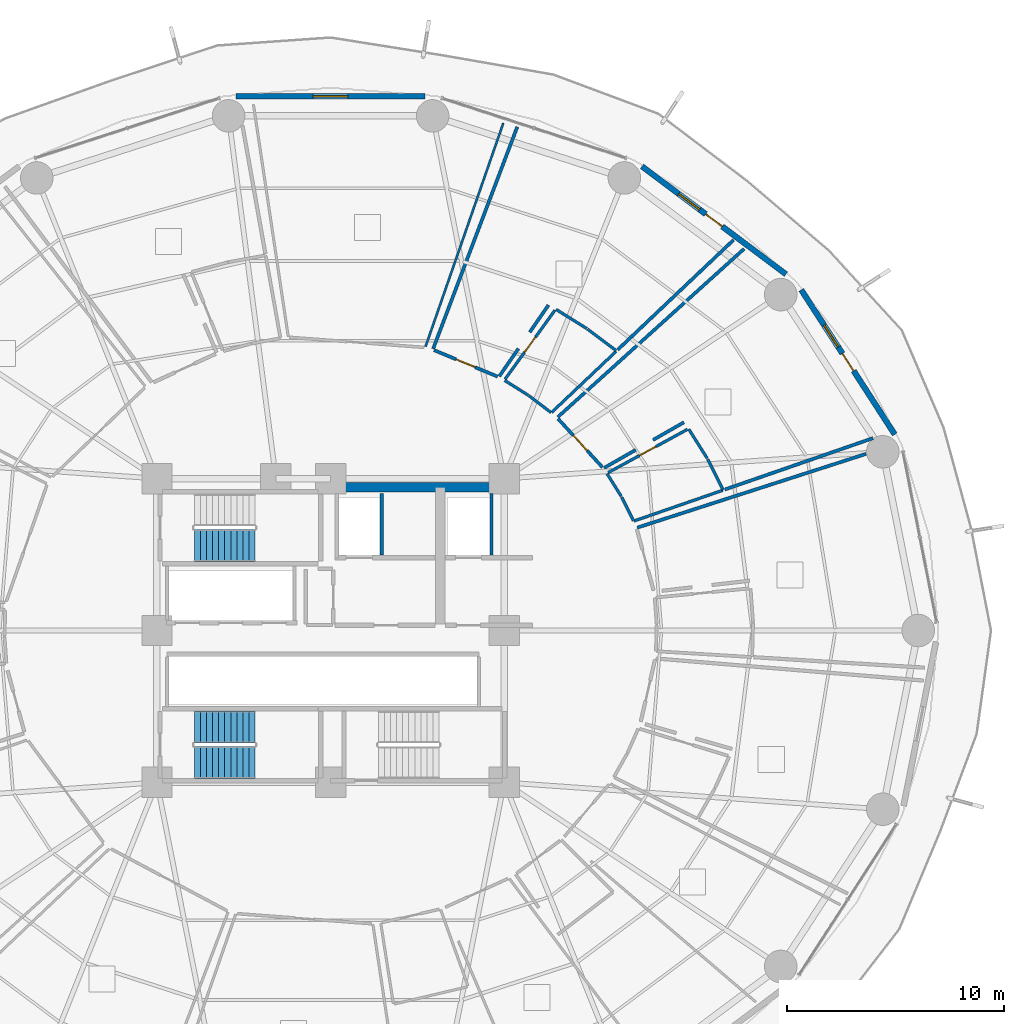
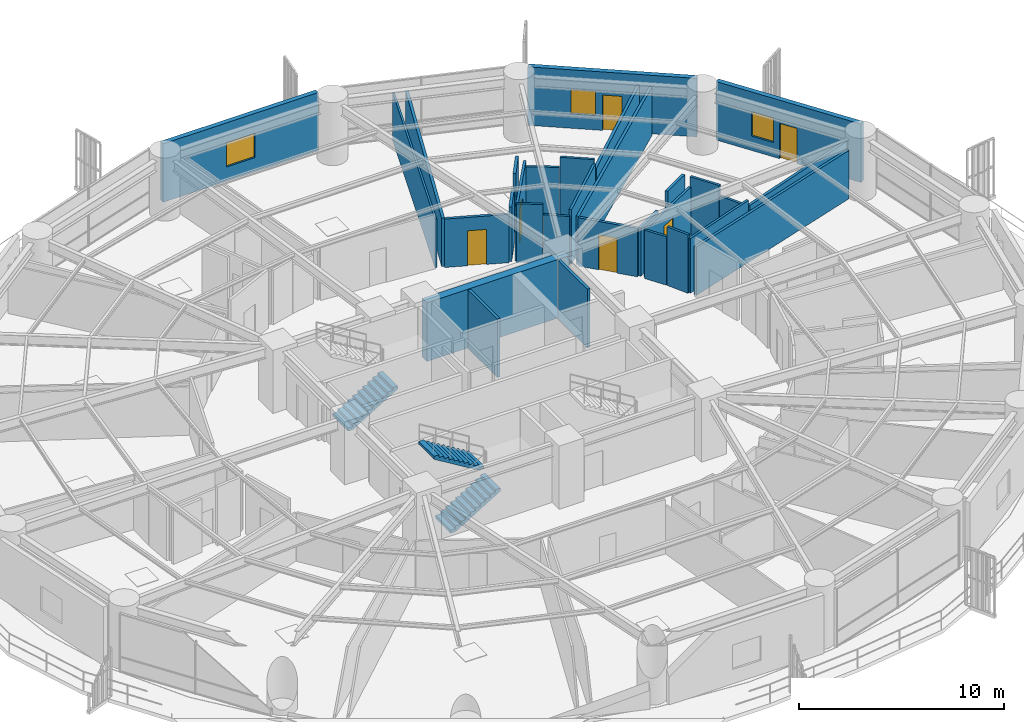
# One storey, part 26 of 32: 30 walls, 6 doors, 3 stair flights, 3 windows, 9 openings, 2 elements without a shape of their own.
"""IFC4 building model written with IfcOpenShell, lengths in metres."""

from ifc_helpers import new_model, si_unit, direction, frame, frame_2d, origin, place, context, subcontext, project, spatial, polyline, rectangle, outline, extrude, material, layer, layer_set, type_object, element, fill, aggregate, save


model = new_model("IFC4")

# Units and contexts
model_context = context("Model", 3, precision=1e-05, world=origin(), true_north=direction((0.0, 1.0)))
body_context = subcontext(model_context, "Body", "Model", "MODEL_VIEW")
ifc_project = project(units=[si_unit("LENGTHUNIT", "METRE"), si_unit("AREAUNIT", "SQUARE_METRE"), si_unit("VOLUMEUNIT", "CUBIC_METRE"), si_unit("PLANEANGLEUNIT", "RADIAN"), si_unit("MASSUNIT", "GRAM", prefix="KILO")], contexts=[model_context])

# Site, building, storey
site_placement = place(None, origin())
site = spatial("IfcSite", under=ifc_project, at=site_placement, CompositionType="ELEMENT")
building_placement = place(site_placement, origin())
building = spatial("IfcBuilding", under=site, at=building_placement, Name="Kelanora Arch Commons", CompositionType="ELEMENT")
storey_placement = place(building_placement, frame((0.0, 0.0, 60.0)))
storey = spatial("IfcBuildingStorey", under=building, at=storey_placement, Name="L15", CompositionType="ELEMENT", Elevation=60.0)

# Walls
ifc_material_1 = material(Name="Autoclaved aerated concrete blockwork with fire plaster", Category="masonry")
ifc_layer_1 = layer(ifc_material_1, 0.14990234375)
ifc_layer_set_1 = layer_set([ifc_layer_1], Name="Autoclaved aerated concrete blockwork with fire plaster")
wall_type_1 = type_object("IfcWallType", Name="W-COMP-150", PredefinedType="PARTITIONING", material=ifc_layer_set_1)
for number, where, z_axis, x_axis, name in (
    (1, (76.360107421875, 61.47998046875, 0.0), (0.0, 0.0, 1.0), (0.0, 1.0, 0.0), "Firefighting Lift 1 East Shaft Wall L15"),
    (2, (81.419921875, 61.47998046875, 0.0), (0.0, 0.0, 1.0), (0.0, 1.0, 0.0), "Firefighting Lift 2 East Shaft Wall L15"),
):
    element("IfcWall", number, at=place(storey_placement, frame(where, z_axis=z_axis, x_axis=x_axis)), inside=storey, type_object=wall_type_1, Name=name, PredefinedType="PARTITIONING", context=body_context, shape_type="SweptSolid", body=[
        extrude(rectangle(XDim=2.840087890625, YDim=0.14990234375, at=frame_2d((1.419921875, 0.0))), origin(), (0.0, 0.0, 1.0), 3.47998046875),
    ])

# Wall, opening, door
wall_1_placement = place(storey_placement, frame((86.529541015625, 65.517333984375, 0.0), z_axis=(0.0, 0.0, 1.0), x_axis=(-0.674433052632, 0.738336005839, 0.0)))
wall_1 = element("IfcWall", 3, at=wall_1_placement, inside=storey, type_object=wall_type_1, Name="Co-Living Studio L15-01 Entry Partition", PredefinedType="PARTITIONING", context=body_context, shape_type="SweptSolid", body=[
    extrude(rectangle(XDim=3.041015625, YDim=0.14990234375, at=frame_2d((1.5205078125, 0.0))), origin(), (0.0, 0.0, 1.0), 2.875),
])
opening_1_placement = place(wall_1_placement, frame((1.0458984375, 0.0, 0.0)))
opening_1 = element("IfcOpeningElement", 4, at=opening_1_placement, cuts=wall_1, Name="Opening D-CLU1", PredefinedType="OPENING", context=body_context, shape_type="SweptSolid", body=[
    extrude(rectangle(XDim=0.949951171875, YDim=2.080078125, at=frame_2d((0.47509765625, 1.0400390625))), frame((0.0, 0.0849609375, 0.0), z_axis=(0.0, -1.0, 0.0), x_axis=(1.0, 0.0, 0.0)), (0.0, 0.0, 1.0), 0.169921875),
])
ifc_material_2 = material(Name="Solid-core acoustic timber cluster entry fire door", Category="wood")
door_type_1 = type_object("IfcDoorType", Name="D-CLU-95", OperationType="NOTDEFINED", PredefinedType="DOOR", material=ifc_material_2)
door_1_placement = place(opening_1_placement, origin())
door_1 = element("IfcDoor", 5, at=door_1_placement, inside=storey, type_object=door_type_1, Name="Co-Living Studio L15-01 Door", OperationType="SINGLE_SWING_LEFT", OverallHeight=2.080078125, OverallWidth=0.949951171875, PredefinedType="DOOR", context=body_context, shape_type="SweptSolid", body=[
    extrude(rectangle(XDim=0.949951171875, YDim=2.080078125, at=frame_2d((0.47509765625, 1.0400390625))), frame((0.0, 0.02490234375, 0.0), z_axis=(0.0, -1.0, 0.0), x_axis=(1.0, 0.0, 0.0)), (0.0, 0.0, 1.0), 0.050048828125),
])
fill(opening_1, door_1)

wall_2_placement = place(storey_placement, frame((81.693603515625, 69.7021484375, 0.0), z_axis=(0.0, 0.0, 1.0), x_axis=(-0.923245473314, 0.384210614124, 0.0)))
wall_2 = element("IfcWall", 6, at=wall_2_placement, inside=storey, type_object=wall_type_1, Name="Co-Living Studio L15-02 Entry Partition", PredefinedType="PARTITIONING", context=body_context, shape_type="SweptSolid", body=[
    extrude(rectangle(XDim=3.16943359375, YDim=0.14990234375, at=frame_2d((1.584716796875, 0.0))), origin(), (0.0, 0.0, 1.0), 2.875),
])
opening_2_placement = place(wall_2_placement, frame((1.110107421875, 0.0, 0.0)))
opening_2 = element("IfcOpeningElement", 7, at=opening_2_placement, cuts=wall_2, Name="Opening D-CLU1", PredefinedType="OPENING", context=body_context, shape_type="SweptSolid", body=[
    extrude(rectangle(XDim=0.949951171875, YDim=2.080078125, at=frame_2d((0.47509765625, 1.0400390625))), frame((0.0, 0.0849609375, 0.0), z_axis=(0.0, -1.0, 0.0), x_axis=(1.0, 0.0, 0.0)), (0.0, 0.0, 1.0), 0.169921875),
])
door_2_placement = place(opening_2_placement, origin())
door_2 = element("IfcDoor", 8, at=door_2_placement, inside=storey, type_object=door_type_1, Name="Co-Living Studio L15-02 Door", OperationType="SINGLE_SWING_LEFT", OverallHeight=2.080078125, OverallWidth=0.949951171875, PredefinedType="DOOR", context=body_context, shape_type="SweptSolid", body=[
    extrude(rectangle(XDim=0.949951171875, YDim=2.080078125, at=frame_2d((0.47509765625, 1.0400390625))), frame((0.0, 0.02490234375, 0.0), z_axis=(0.0, -1.0, 0.0), x_axis=(1.0, 0.0, 0.0)), (0.0, 0.0, 1.0), 0.050048828125),
])
fill(opening_2, door_2)

# Walls
wall_3_placement = place(storey_placement, frame((84.4677734375, 67.833740234375, 0.0), z_axis=(0.0, 0.0, 1.0), x_axis=(0.742191353367, 0.670188029577, 0.0)))
element("IfcWall", 9, at=wall_3_placement, inside=storey, type_object=wall_type_1, Name="Co-Living Studio L15-01 Enclosure Partition 2", PredefinedType="PARTITIONING", context=body_context, shape_type="SweptSolid", body=[
    extrude(rectangle(XDim=11.569091796875, YDim=0.14990234375, at=frame_2d((5.78466796875, 0.0))), origin(), (0.0, 0.0, 1.0), 2.875),
])
wall_4_placement = place(storey_placement, frame((98.992431640625, 66.863525390625, 0.0), z_axis=(0.0, 0.0, 1.0), x_axis=(-0.944826855148, -0.327570166212, 0.0)))
element("IfcWall", 10, at=wall_4_placement, inside=storey, type_object=wall_type_1, Name="Co-Living Studio L15-01 Enclosure Partition 5", PredefinedType="PARTITIONING", context=body_context, shape_type="SweptSolid", body=[
    extrude(rectangle(XDim=7.224365234375, YDim=0.14990234375, at=frame_2d((3.6123046875, 0.0))), origin(), (0.0, 0.0, 1.0), 2.875),
])
wall_5_placement = place(storey_placement, frame((90.283203125, 67.59423828125, 0.0), z_axis=(0.0, 0.0, 1.0), x_axis=(-0.868279787631, -0.496074803221, 0.0)))
element("IfcWall", 11, at=wall_5_placement, inside=storey, type_object=wall_type_1, Name="Co-Living Studio L15-01 Enclosure Partition 7", PredefinedType="PARTITIONING", context=body_context, shape_type="SweptSolid", body=[
    extrude(rectangle(XDim=1.639892578125, YDim=0.14990234375, at=frame_2d((0.81982421875, 0.0))), origin(), (0.0, 0.0, 1.0), 3.47998046875),
])
wall_6_placement = place(storey_placement, frame((88.060302734375, 66.32421875, 0.0), z_axis=(0.0, 0.0, 1.0), x_axis=(-0.86835963742, -0.495935016004, 0.0)))
element("IfcWall", 12, at=wall_6_placement, inside=storey, type_object=wall_type_1, Name="Co-Living Studio L15-01 Enclosure Partition 7", PredefinedType="PARTITIONING", context=body_context, shape_type="SweptSolid", body=[
    extrude(rectangle(XDim=1.67626953125, YDim=0.14990234375, at=frame_2d((0.838134765625, 0.0))), origin(), (0.0, 0.0, 1.0), 2.875),
])
wall_7_placement = place(storey_placement, frame((78.726318359375, 70.98046875, 0.0), z_axis=(0.0, 0.0, 1.0), x_axis=(0.354325845477, 0.935122021571, 0.0)))
element("IfcWall", 13, at=wall_7_placement, inside=storey, type_object=wall_type_1, Name="Co-Living Studio L15-02 Enclosure Partition 2", PredefinedType="PARTITIONING", context=body_context, shape_type="SweptSolid", body=[
    extrude(rectangle(XDim=10.937744140625, YDim=0.14990234375, at=frame_2d((5.46875, 0.0))), origin(), (0.0, 0.0, 1.0), 2.875),
])
wall_8_placement = place(storey_placement, frame((92.56689453125, 75.99658203125, 0.0), z_axis=(0.0, 0.0, 1.0), x_axis=(-0.725622707533, -0.688092789028, 0.0)))
element("IfcWall", 14, at=wall_8_placement, inside=storey, type_object=wall_type_1, Name="Co-Living Studio L15-02 Enclosure Partition 5", PredefinedType="PARTITIONING", context=body_context, shape_type="SweptSolid", body=[
    extrude(rectangle(XDim=7.350830078125, YDim=0.14990234375, at=frame_2d((3.67529296875, 0.0))), origin(), (0.0, 0.0, 1.0), 2.875),
])
wall_9_placement = place(storey_placement, frame((84.037353515625, 72.9921875, 0.0), z_axis=(0.0, 0.0, 1.0), x_axis=(-0.568328597461, -0.822801680424, 0.0)))
element("IfcWall", 15, at=wall_9_placement, inside=storey, type_object=wall_type_1, Name="Co-Living Studio L15-02 Enclosure Partition 7", PredefinedType="PARTITIONING", context=body_context, shape_type="SweptSolid", body=[
    extrude(rectangle(XDim=1.512939453125, YDim=0.14990234375, at=frame_2d((0.75634765625, 0.0))), origin(), (0.0, 0.0, 1.0), 3.47998046875),
])
wall_10_placement = place(storey_placement, frame((82.654541015625, 70.989990234375, 0.0), z_axis=(0.0, 0.0, 1.0), x_axis=(-0.568335150004, -0.822797154389, 0.0)))
element("IfcWall", 16, at=wall_10_placement, inside=storey, type_object=wall_type_1, Name="Co-Living Studio L15-02 Enclosure Partition 7", PredefinedType="PARTITIONING", context=body_context, shape_type="SweptSolid", body=[
    extrude(rectangle(XDim=1.55322265625, YDim=0.14990234375, at=frame_2d((0.776611328125, 0.0))), origin(), (0.0, 0.0, 1.0), 3.235107421875),
])
wall_11_placement = place(storey_placement, frame((88.134033203125, 62.7412109375, 0.0), z_axis=(0.0, 0.0, 1.0), x_axis=(0.951774856366, 0.30679736438, 0.0)))
element("IfcWall", 17, at=wall_11_placement, inside=storey, type_object=wall_type_1, Name="Co-Living Studio L15-14 Enclosure Partition 2", PredefinedType="PARTITIONING", context=body_context, shape_type="SweptSolid", body=[
    extrude(rectangle(XDim=11.077880859375, YDim=0.14990234375, at=frame_2d((5.5390625, 0.0))), origin(), (0.0, 0.0, 1.0), 2.875),
])
ifc_material_3 = material(Name="Concrete C60/75", Category="concrete")
ifc_layer_2 = layer(ifc_material_3, 0.449951171875)
ifc_layer_set_2 = layer_set([ifc_layer_2], Name="Concrete C60/75")
wall_type_2 = type_object("IfcWallType", Name="W-CORE-450", PredefinedType="SHEAR", material=ifc_layer_set_2)
wall_12_placement = place(storey_placement, frame((74.0, 64.60009765625, 0.0), z_axis=(0.0, 0.0, 1.0), x_axis=(1.0, 0.0, 0.0)))
element("IfcWall", 18, at=wall_12_placement, inside=storey, type_object=wall_type_2, Name="Core Shear Spine L15-CN-E", PredefinedType="SHEAR", context=body_context, shape_type="SweptSolid", body=[
    extrude(rectangle(XDim=8.0, YDim=0.449951171875, at=frame_2d((4.0, 0.0))), origin(), (0.0, 0.0, 1.0), 3.489990234375),
])

# Wall, openings, door, window
ifc_material_4 = material(Name="Precast concrete C40/50 with terracotta rainscreen", Category="masonry")
ifc_layer_3 = layer(ifc_material_4, 0.260009765625)
ifc_layer_set_3 = layer_set([ifc_layer_3], Name="Precast concrete C40/50 with terracotta rainscreen")
wall_type_3 = type_object("IfcWallType", Name="W-EXT-TC", PredefinedType="SOLIDWALL", material=ifc_layer_set_3)
wall_13_placement = place(storey_placement, frame((99.999267578125, 67.033203125, 0.0), z_axis=(0.0, 0.0, 1.0), x_axis=(-0.543005114258, 0.839729388488, 0.0)))
wall_13 = element("IfcWall", 19, at=wall_13_placement, inside=storey, type_object=wall_type_3, Name="Terracotta Exterior Wall L15-B01", PredefinedType="SOLIDWALL", context=body_context, shape_type="SweptSolid", body=[
    extrude(rectangle(XDim=7.9375, YDim=0.260009765625, at=frame_2d((3.96875, 0.0))), origin(), (0.0, 0.0, 1.0), 3.47509765625),
])
opening_3_placement = place(wall_13_placement, frame((3.493896484375, 0.0, 0.0)))
opening_3 = element("IfcOpeningElement", 20, at=opening_3_placement, cuts=wall_13, Name="Opening DB-01", PredefinedType="OPENING", context=body_context, shape_type="SweptSolid", body=[
    extrude(rectangle(XDim=0.949951171875, YDim=2.10009765625, at=frame_2d((0.47509765625, 1.050048828125))), frame((0.0, 0.14013671875, 0.0), z_axis=(0.0, -1.0, 0.0), x_axis=(1.0, 0.0, 0.0)), (0.0, 0.0, 1.0), 0.280029296875),
])
opening_4_placement = place(wall_13_placement, frame((4.7939453125, 0.0, 0.85009765625)))
opening_4 = element("IfcOpeningElement", 21, at=opening_4_placement, cuts=wall_13, Name="Opening WN-02", PredefinedType="OPENING", context=body_context, shape_type="SweptSolid", body=[
    extrude(rectangle(XDim=1.199951171875, YDim=1.449951171875, at=frame_2d((0.60009765625, 0.72509765625))), frame((0.0, 0.14013671875, 0.0), z_axis=(0.0, -1.0, 0.0), x_axis=(1.0, 0.0, 0.0)), (0.0, 0.0, 1.0), 0.280029296875),
])
ifc_material_5 = material(Name="Terracotta-aluminium thermally broken glazed balcony door", Category="masonry")
door_type_2 = type_object("IfcDoorType", Name="D-BAL-10", OperationType="NOTDEFINED", PredefinedType="DOOR", material=ifc_material_5)
door_3_placement = place(opening_3_placement, frame((0.949951171875, 0.0, 0.0), z_axis=(0.0, 0.0, 1.0), x_axis=(-1.0, 0.0, 0.0)))
door_3 = element("IfcDoor", 22, at=door_3_placement, inside=storey, type_object=door_type_2, Name="Wave Balcony Door L15-B01", OperationType="SINGLE_SWING_LEFT", OverallHeight=2.10009765625, OverallWidth=0.949951171875, PredefinedType="DOOR", context=body_context, shape_type="SweptSolid", body=[
    extrude(rectangle(XDim=0.949951171875, YDim=2.10009765625, at=frame_2d((0.47509765625, 1.050048828125))), frame((0.0, 0.02490234375, 0.0), z_axis=(0.0, -1.0, 0.0), x_axis=(1.0, 0.0, 0.0)), (0.0, 0.0, 1.0), 0.050048828125),
])
fill(opening_3, door_3)
ifc_material_6 = material(Name="Terracotta-anodised aluminium frame with operable awning sash", Category="masonry")
window_type_1 = type_object("IfcWindowType", Name="WIN-CL-12", PartitioningType="SINGLE_PANEL", PredefinedType="WINDOW", material=ifc_material_6)
window_1_placement = place(opening_4_placement, origin())
window_1 = element("IfcWindow", 23, at=window_1_placement, inside=storey, type_object=window_type_1, Name="Co-Living Operable Window L15-B01", OverallHeight=1.449951171875, OverallWidth=1.199951171875, PartitioningType="SINGLE_PANEL", PredefinedType="WINDOW", context=body_context, shape_type="SweptSolid", body=[
    extrude(rectangle(XDim=1.199951171875, YDim=1.449951171875, at=frame_2d((0.60009765625, 0.72509765625))), frame((0.0, 0.030029296875, 0.0), z_axis=(0.0, -1.0, 0.0), x_axis=(1.0, 0.0, 0.0)), (0.0, 0.0, 1.0), 0.06005859375),
])
fill(opening_4, window_1)

wall_14_placement = place(storey_placement, frame((94.98388671875, 74.418212890625, 0.0), z_axis=(0.0, 0.0, 1.0), x_axis=(-0.80030733173, 0.599590005569, 0.0)))
wall_14 = element("IfcWall", 24, at=wall_14_placement, inside=storey, type_object=wall_type_3, Name="Terracotta Exterior Wall L15-B02", PredefinedType="SOLIDWALL", context=body_context, shape_type="SweptSolid", body=[
    extrude(rectangle(XDim=8.29052734375, YDim=0.260009765625, at=frame_2d((4.145263671875, 0.0))), origin(), (0.0, 0.0, 1.0), 3.47509765625),
])
opening_5_placement = place(wall_14_placement, frame((3.669921875, 0.0, 0.0)))
opening_5 = element("IfcOpeningElement", 25, at=opening_5_placement, cuts=wall_14, Name="Opening DB-01", PredefinedType="OPENING", context=body_context, shape_type="SweptSolid", body=[
    extrude(rectangle(XDim=0.949951171875, YDim=2.10009765625, at=frame_2d((0.47509765625, 1.050048828125))), frame((0.0, 0.14013671875, 0.0), z_axis=(0.0, -1.0, 0.0), x_axis=(1.0, 0.0, 0.0)), (0.0, 0.0, 1.0), 0.280029296875),
])
opening_6_placement = place(wall_14_placement, frame((4.969970703125, 0.0, 0.85009765625)))
opening_6 = element("IfcOpeningElement", 26, at=opening_6_placement, cuts=wall_14, Name="Opening WN-02", PredefinedType="OPENING", context=body_context, shape_type="SweptSolid", body=[
    extrude(rectangle(XDim=1.199951171875, YDim=1.449951171875, at=frame_2d((0.60009765625, 0.72509765625))), frame((0.0, 0.14013671875, 0.0), z_axis=(0.0, -1.0, 0.0), x_axis=(1.0, 0.0, 0.0)), (0.0, 0.0, 1.0), 0.280029296875),
])
door_4_placement = place(opening_5_placement, frame((0.949951171875, 0.0, 0.0), z_axis=(0.0, 0.0, 1.0), x_axis=(-1.0, 0.0, 0.0)))
door_4 = element("IfcDoor", 27, at=door_4_placement, inside=storey, type_object=door_type_2, Name="Wave Balcony Door L15-B02", OperationType="SINGLE_SWING_RIGHT", OverallHeight=2.10009765625, OverallWidth=0.949951171875, PredefinedType="DOOR", context=body_context, shape_type="SweptSolid", body=[
    extrude(rectangle(XDim=0.949951171875, YDim=2.10009765625, at=frame_2d((0.47509765625, 1.050048828125))), frame((0.0, 0.02490234375, 0.0), z_axis=(0.0, -1.0, 0.0), x_axis=(1.0, 0.0, 0.0)), (0.0, 0.0, 1.0), 0.050048828125),
])
fill(opening_5, door_4)
window_2_placement = place(opening_6_placement, origin())
window_2 = element("IfcWindow", 28, at=window_2_placement, inside=storey, type_object=window_type_1, Name="Co-Living Operable Window L15-B02", OverallHeight=1.449951171875, OverallWidth=1.199951171875, PartitioningType="SINGLE_PANEL", PredefinedType="WINDOW", context=body_context, shape_type="SweptSolid", body=[
    extrude(rectangle(XDim=1.199951171875, YDim=1.449951171875, at=frame_2d((0.60009765625, 0.72509765625))), frame((0.0, 0.030029296875, 0.0), z_axis=(0.0, -1.0, 0.0), x_axis=(1.0, 0.0, 0.0)), (0.0, 0.0, 1.0), 0.06005859375),
])
fill(opening_6, window_2)

# Wall, opening, window
wall_15_placement = place(storey_placement, frame((78.35595703125, 82.6201171875, 0.0), z_axis=(0.0, 0.0, 1.0), x_axis=(-1.0, 0.0, 0.0)))
wall_15 = element("IfcWall", 29, at=wall_15_placement, inside=storey, type_object=wall_type_3, Name="Terracotta Exterior Wall L15-B04", PredefinedType="SOLIDWALL", context=body_context, shape_type="SweptSolid", body=[
    extrude(rectangle(XDim=8.7119140625, YDim=0.260009765625, at=frame_2d((4.35595703125, 0.0))), origin(), (0.0, 0.0, 1.0), 3.47509765625),
])
opening_7_placement = place(wall_15_placement, frame((3.555908203125, 0.0, 0.85009765625)))
opening_7 = element("IfcOpeningElement", 30, at=opening_7_placement, cuts=wall_15, Name="Opening WN-01", PredefinedType="OPENING", context=body_context, shape_type="SweptSolid", body=[
    extrude(rectangle(XDim=1.60009765625, YDim=1.449951171875, at=frame_2d((0.800048828125, 0.72509765625))), frame((0.0, 0.14013671875, 0.0), z_axis=(0.0, -1.0, 0.0), x_axis=(1.0, 0.0, 0.0)), (0.0, 0.0, 1.0), 0.280029296875),
])
ifc_material_7 = material(Name="Terracotta-anodised aluminium frame with operable low-E glazing", Category="masonry")
window_type_2 = type_object("IfcWindowType", Name="WIN-CL-18", PartitioningType="DOUBLE_PANEL_VERTICAL", PredefinedType="WINDOW", material=ifc_material_7)
window_3_placement = place(opening_7_placement, origin())
window_3 = element("IfcWindow", 31, at=window_3_placement, inside=storey, type_object=window_type_2, Name="Co-Living Operable Window L15-B04", OverallHeight=1.449951171875, OverallWidth=1.60009765625, PartitioningType="SINGLE_PANEL", PredefinedType="WINDOW", context=body_context, shape_type="SweptSolid", body=[
    extrude(rectangle(XDim=1.60009765625, YDim=1.449951171875, at=frame_2d((0.800048828125, 0.72509765625))), frame((0.0, 0.030029296875, 0.0), z_axis=(0.0, -1.0, 0.0), x_axis=(1.0, 0.0, 0.0)), (0.0, 0.0, 1.0), 0.06005859375),
])
fill(opening_7, window_3)

# Wall
ifc_material_8 = material(Name="Lightweight fire-rated acoustic stud partition")
ifc_layer_4 = layer(ifc_material_8, 0.10009765625)
ifc_layer_set_4 = layer_set([ifc_layer_4], Name="Lightweight fire-rated acoustic stud partition")
wall_type_4 = type_object("IfcWallType", Name="W-PART-100", PredefinedType="PARTITIONING", material=ifc_layer_set_4)
wall_16_placement = place(storey_placement, frame((81.9619140625, 81.38818359375, 0.0), z_axis=(0.0, 0.0, 1.0), x_axis=(-0.328662915274, -0.944447292401, 0.0)))
element("IfcWall", 32, at=wall_16_placement, inside=storey, type_object=wall_type_4, Name="Communal Dining and Social Hall L15-03 Enclosure Partition 4", PredefinedType="PARTITIONING", context=body_context, shape_type="SweptSolid", body=[
    extrude(rectangle(XDim=10.91357421875, YDim=0.10009765625, at=frame_2d((5.456787109375, 0.0))), origin(), (0.0, 0.0, 1.0), 2.875),
])

# Wall, opening, door
ifc_material_9 = material(Name="Moisture-resistant fire-rated cement-board plumbing wall")
ifc_layer_5 = layer(ifc_material_9, 0.1298828125)
ifc_layer_set_5 = layer_set([ifc_layer_5], Name="Moisture-resistant fire-rated cement-board plumbing wall")
wall_type_5 = type_object("IfcWallType", Name="W-WET-120", PredefinedType="PLUMBINGWALL", material=ifc_layer_set_5)
wall_17_placement = place(storey_placement, frame((86.78466796875, 65.271728515625, 0.0), z_axis=(0.0, 0.0, 1.0), x_axis=(0.877747757983, 0.479123025283, 0.0)))
wall_17 = element("IfcWall", 33, at=wall_17_placement, inside=storey, type_object=wall_type_5, Name="En-Suite Shower WC L15-01 Entry Partition", PredefinedType="PLUMBINGWALL", context=body_context, shape_type="SweptSolid", body=[
    extrude(rectangle(XDim=4.167236328125, YDim=0.1298828125, at=frame_2d((2.08349609375, 0.0))), origin(), (0.0, 0.0, 1.0), 2.875),
])
opening_8_placement = place(wall_17_placement, frame((1.654052734375, 0.0, 0.0)))
opening_8 = element("IfcOpeningElement", 34, at=opening_8_placement, cuts=wall_17, Name="Opening D-BT1", PredefinedType="OPENING", context=body_context, shape_type="SweptSolid", body=[
    extrude(rectangle(XDim=0.860107421875, YDim=2.050048828125, at=frame_2d((0.43017578125, 1.02490234375))), frame((0.0, 0.074951171875, 0.0), z_axis=(0.0, -1.0, 0.0), x_axis=(1.0, 0.0, 0.0)), (0.0, 0.0, 1.0), 0.14990234375),
])
ifc_material_10 = material(Name="Moisture-sealed fire-rated accessible bathroom door")
door_type_3 = type_object("IfcDoorType", Name="D-BATH-85", OperationType="NOTDEFINED", PredefinedType="DOOR", material=ifc_material_10)
door_5_placement = place(opening_8_placement, origin())
door_5 = element("IfcDoor", 35, at=door_5_placement, inside=storey, type_object=door_type_3, Name="En-Suite Shower WC L15-01 Door", OperationType="SINGLE_SWING_RIGHT", OverallHeight=2.050048828125, OverallWidth=0.860107421875, PredefinedType="DOOR", context=body_context, shape_type="SweptSolid", body=[
    extrude(rectangle(XDim=0.860107421875, YDim=2.050048828125, at=frame_2d((0.43017578125, 1.02490234375))), frame((0.0, 0.02490234375, 0.0), z_axis=(0.0, -1.0, 0.0), x_axis=(1.0, 0.0, 0.0)), (0.0, 0.0, 1.0), 0.050048828125),
])
fill(opening_8, door_5)

wall_18_placement = place(storey_placement, frame((82.041259765625, 69.58349609375, 0.0), z_axis=(0.0, 0.0, 1.0), x_axis=(0.586113694769, 0.810228817559, 0.0)))
wall_18 = element("IfcWall", 36, at=wall_18_placement, inside=storey, type_object=wall_type_5, Name="En-Suite Shower WC L15-02 Entry Partition", PredefinedType="PLUMBINGWALL", context=body_context, shape_type="SweptSolid", body=[
    extrude(rectangle(XDim=3.91845703125, YDim=0.1298828125, at=frame_2d((1.959228515625, 0.0))), origin(), (0.0, 0.0, 1.0), 3.235107421875),
])
opening_9_placement = place(wall_18_placement, frame((1.529052734375, 0.0, 0.0)))
opening_9 = element("IfcOpeningElement", 37, at=opening_9_placement, cuts=wall_18, Name="Opening D-BT1", PredefinedType="OPENING", context=body_context, shape_type="SweptSolid", body=[
    extrude(rectangle(XDim=0.860107421875, YDim=2.050048828125, at=frame_2d((0.43017578125, 1.02490234375))), frame((0.0, 0.074951171875, 0.0), z_axis=(0.0, -1.0, 0.0), x_axis=(1.0, 0.0, 0.0)), (0.0, 0.0, 1.0), 0.14990234375),
])
door_6_placement = place(opening_9_placement, origin())
door_6 = element("IfcDoor", 38, at=door_6_placement, inside=storey, type_object=door_type_3, Name="En-Suite Shower WC L15-02 Door", OperationType="SINGLE_SWING_RIGHT", OverallHeight=2.050048828125, OverallWidth=0.860107421875, PredefinedType="DOOR", context=body_context, shape_type="SweptSolid", body=[
    extrude(rectangle(XDim=0.860107421875, YDim=2.050048828125, at=frame_2d((0.43017578125, 1.02490234375))), frame((0.0, 0.02490234375, 0.0), z_axis=(0.0, -1.0, 0.0), x_axis=(1.0, 0.0, 0.0)), (0.0, 0.0, 1.0), 0.050048828125),
])
fill(opening_9, door_6)

# Walls
wall_19_placement = place(storey_placement, frame((87.9560546875, 63.057861328125, 0.0), z_axis=(0.0, 0.0, 1.0), x_axis=(-0.445610682281, 0.895226853841, 0.0)))
element("IfcWall", 39, at=wall_19_placement, inside=storey, type_object=wall_type_5, Name="En-Suite Shower WC L15-01 Enclosure Partition 1", PredefinedType="PLUMBINGWALL", context=body_context, shape_type="SweptSolid", body=[
    extrude(rectangle(XDim=1.218994140625, YDim=0.1298828125, at=frame_2d((0.609375, 0.0))), origin(), (0.0, 0.0, 1.0), 3.47998046875),
])
wall_20_placement = place(storey_placement, frame((87.393310546875, 64.18408203125, 0.0), z_axis=(0.0, 0.0, 1.0), x_axis=(-0.5296416079, 0.848221531901, 0.0)))
element("IfcWall", 40, at=wall_20_placement, inside=storey, type_object=wall_type_5, Name="En-Suite Shower WC L15-01 Enclosure Partition 2", PredefinedType="PLUMBINGWALL", context=body_context, shape_type="SweptSolid", body=[
    extrude(rectangle(XDim=1.228515625, YDim=0.1298828125, at=frame_2d((0.6142578125, 0.0))), origin(), (0.0, 0.0, 1.0), 2.875),
])
wall_21_placement = place(storey_placement, frame((90.505615234375, 67.280029296875, 0.0), z_axis=(0.0, 0.0, 1.0), x_axis=(0.533000334155, -0.846115029881, 0.0)))
element("IfcWall", 41, at=wall_21_placement, inside=storey, type_object=wall_type_5, Name="En-Suite Shower WC L15-01 Enclosure Partition 4", PredefinedType="PLUMBINGWALL", context=body_context, shape_type="SweptSolid", body=[
    extrude(rectangle(XDim=1.59228515625, YDim=0.1298828125, at=frame_2d((0.796142578125, 0.0))), origin(), (0.0, 0.0, 1.0), 3.47998046875),
])
wall_22_placement = place(storey_placement, frame((91.3740234375, 65.898193359375, 0.0), z_axis=(0.0, 0.0, 1.0), x_axis=(0.448882213202, -0.893590934752, 0.0)))
element("IfcWall", 42, at=wall_22_placement, inside=storey, type_object=wall_type_5, Name="En-Suite Shower WC L15-01 Enclosure Partition 5", PredefinedType="PLUMBINGWALL", context=body_context, shape_type="SweptSolid", body=[
    extrude(rectangle(XDim=1.579345703125, YDim=0.1298828125, at=frame_2d((0.78955078125, 0.0))), origin(), (0.0, 0.0, 1.0), 2.875),
])
wall_23_placement = place(storey_placement, frame((92.072998046875, 64.46240234375, 0.0), z_axis=(0.0, 0.0, 1.0), x_axis=(-0.944946491884, -0.327224888228, 0.0)))
element("IfcWall", 43, at=wall_23_placement, inside=storey, type_object=wall_type_5, Name="En-Suite Shower WC L15-01 Enclosure Partition 6", PredefinedType="PLUMBINGWALL", context=body_context, shape_type="SweptSolid", body=[
    extrude(rectangle(XDim=4.327392578125, YDim=0.1298828125, at=frame_2d((2.16357421875, 0.0))), origin(), (0.0, 0.0, 1.0), 3.235107421875),
])
wall_24_placement = place(storey_placement, frame((84.155029296875, 68.047119140625, 0.0), z_axis=(0.0, 0.0, 1.0), x_axis=(-0.795884944477, 0.605447896317, 0.0)))
element("IfcWall", 44, at=wall_24_placement, inside=storey, type_object=wall_type_5, Name="En-Suite Shower WC L15-02 Enclosure Partition 1", PredefinedType="PLUMBINGWALL", context=body_context, shape_type="SweptSolid", body=[
    extrude(rectangle(XDim=1.27294921875, YDim=0.1298828125, at=frame_2d((0.636474609375, 0.0))), origin(), (0.0, 0.0, 1.0), 2.875),
])
wall_25_placement = place(storey_placement, frame((83.109130859375, 68.8408203125, 0.0), z_axis=(0.0, 0.0, 1.0), x_axis=(-0.846337656307, 0.532646760544, 0.0)))
element("IfcWall", 45, at=wall_25_placement, inside=storey, type_object=wall_type_5, Name="En-Suite Shower WC L15-02 Enclosure Partition 2", PredefinedType="PLUMBINGWALL", context=body_context, shape_type="SweptSolid", body=[
    extrude(rectangle(XDim=1.283447265625, YDim=0.1298828125, at=frame_2d((0.6416015625, 0.0))), origin(), (0.0, 0.0, 1.0), 3.47998046875),
])
wall_26_placement = place(storey_placement, frame((84.389892578125, 72.79638671875, 0.0), z_axis=(0.0, 0.0, 1.0), x_axis=(0.848326822388, -0.529472947766, 0.0)))
element("IfcWall", 46, at=wall_26_placement, inside=storey, type_object=wall_type_5, Name="En-Suite Shower WC L15-02 Enclosure Partition 4", PredefinedType="PLUMBINGWALL", context=body_context, shape_type="SweptSolid", body=[
    extrude(rectangle(XDim=1.669189453125, YDim=0.1298828125, at=frame_2d((0.83447265625, 0.0))), origin(), (0.0, 0.0, 1.0), 2.875),
])
wall_27_placement = place(storey_placement, frame((85.839111328125, 71.889892578125, 0.0), z_axis=(0.0, 0.0, 1.0), x_axis=(0.798688091321, -0.601745239102, 0.0)))
element("IfcWall", 47, at=wall_27_placement, inside=storey, type_object=wall_type_5, Name="En-Suite Shower WC L15-02 Enclosure Partition 5", PredefinedType="PLUMBINGWALL", context=body_context, shape_type="SweptSolid", body=[
    extrude(rectangle(XDim=1.655029296875, YDim=0.1298828125, at=frame_2d((0.82763671875, 0.0))), origin(), (0.0, 0.0, 1.0), 3.47998046875),
])
wall_28_placement = place(storey_placement, frame((87.16259765625, 70.8681640625, 0.0), z_axis=(0.0, 0.0, 1.0), x_axis=(-0.726077844379, -0.687612509996, 0.0)))
element("IfcWall", 48, at=wall_28_placement, inside=storey, type_object=wall_type_5, Name="En-Suite Shower WC L15-02 Enclosure Partition 6", PredefinedType="PLUMBINGWALL", context=body_context, shape_type="SweptSolid", body=[
    extrude(rectangle(XDim=4.10009765625, YDim=0.1298828125, at=frame_2d((2.050048828125, 0.0))), origin(), (0.0, 0.0, 1.0), 3.235107421875),
])

# Stair, stair flight
ifc_material_11 = material(Name="Concrete C40/50", Category="concrete")
stair_type = type_object("IfcStairType", Name="STR-DL-375", PredefinedType="HALF_TURN_STAIR", material=ifc_material_11)
stair_1_placement = place(storey_placement, origin())
stair_1 = element("IfcStair", 49, at=stair_1_placement, inside=storey, type_object=stair_type, Name="L15 ST-T1", PredefinedType="HALF_TURN_STAIR")
stair_flight_type = type_object("IfcStairFlightType", Name="FLT-DL-375", PredefinedType="STRAIGHT", material=ifc_material_11)
stair_flight_1_placement = place(storey_placement, frame((67.719970703125, 61.919921875, 0.0), z_axis=(0.0, 0.0, 1.0), x_axis=(1.0, 0.0, 0.0)))
stair_flight_1 = element("IfcStairFlight", 50, at=stair_flight_1_placement, type_object=stair_flight_type, Name="ST-T1 flight 1", NumberOfRisers=11, NumberOfTreads=10, PredefinedType="STRAIGHT", RiserHeight=0.170454545, TreadLength=0.28, context=body_context, shape_type="SweptSolid", body=[
    extrude(outline(polyline([(0.0, 0.0), (0.0, 0.17041015625), (0.280029296875, 0.17041015625), (0.280029296875, 0.3408203125), (0.56005859375, 0.3408203125), (0.56005859375, 0.511474609375), (0.840087890625, 0.511474609375), (0.840087890625, 0.681884765625), (1.1201171875, 0.681884765625), (1.1201171875, 0.852294921875), (1.39990234375, 0.852294921875), (1.39990234375, 1.022705078125), (1.679931640625, 1.022705078125), (1.679931640625, 1.193115234375), (1.9599609375, 1.193115234375), (1.9599609375, 1.363525390625), (2.239990234375, 1.363525390625), (2.239990234375, 1.5341796875), (2.52001953125, 1.5341796875), (2.52001953125, 1.70458984375), (2.800048828125, 1.70458984375), (2.800048828125, 1.875), (2.800048828125, 1.529052734375), (0.288330078125, 0.0), (0.0, 0.0)])), frame((0.0, 0.739990234375, 0.0), z_axis=(0.0, -1.0, 0.0), x_axis=(1.0, 0.0, 0.0)), (0.0, 0.0, 1.0), 1.47998046875),
])
aggregate(stair_1, [stair_flight_1])

# Stair, stair flights
stair_2_placement = place(storey_placement, origin())
stair_2 = element("IfcStair", 51, at=stair_2_placement, inside=storey, type_object=stair_type, Name="L15 ST-T3", PredefinedType="HALF_TURN_STAIR")
stair_flight_2_placement = place(storey_placement, frame((67.719970703125, 51.919921875, 0.0), z_axis=(0.0, 0.0, 1.0), x_axis=(1.0, 0.0, 0.0)))
stair_flight_2 = element("IfcStairFlight", 52, at=stair_flight_2_placement, type_object=stair_flight_type, Name="ST-T3 flight 1", NumberOfRisers=11, NumberOfTreads=10, PredefinedType="STRAIGHT", RiserHeight=0.170454545, TreadLength=0.28, context=body_context, shape_type="SweptSolid", body=[
    extrude(outline(polyline([(0.0, 0.0), (0.0, 0.17041015625), (0.280029296875, 0.17041015625), (0.280029296875, 0.3408203125), (0.56005859375, 0.3408203125), (0.56005859375, 0.511474609375), (0.840087890625, 0.511474609375), (0.840087890625, 0.681884765625), (1.1201171875, 0.681884765625), (1.1201171875, 0.852294921875), (1.39990234375, 0.852294921875), (1.39990234375, 1.022705078125), (1.679931640625, 1.022705078125), (1.679931640625, 1.193115234375), (1.9599609375, 1.193115234375), (1.9599609375, 1.363525390625), (2.239990234375, 1.363525390625), (2.239990234375, 1.5341796875), (2.52001953125, 1.5341796875), (2.52001953125, 1.70458984375), (2.800048828125, 1.70458984375), (2.800048828125, 1.875), (2.800048828125, 1.529052734375), (0.288330078125, 0.0), (0.0, 0.0)])), frame((0.0, 0.739990234375, 0.0), z_axis=(0.0, -1.0, 0.0), x_axis=(1.0, 0.0, 0.0)), (0.0, 0.0, 1.0), 1.47998046875),
])
stair_flight_3_placement = place(storey_placement, frame((70.52001953125, 53.550048828125, 1.875), z_axis=(0.0, 0.0, 1.0), x_axis=(-1.0, 0.0, 0.0)))
stair_flight_3 = element("IfcStairFlight", 53, at=stair_flight_3_placement, type_object=stair_flight_type, Name="ST-T3 flight 2", NumberOfRisers=11, NumberOfTreads=10, PredefinedType="STRAIGHT", RiserHeight=0.170454545, TreadLength=0.28, context=body_context, shape_type="SweptSolid", body=[
    extrude(outline(polyline([(0.0, 0.0), (0.0, 0.17041015625), (0.280029296875, 0.17041015625), (0.280029296875, 0.3408203125), (0.56005859375, 0.3408203125), (0.56005859375, 0.511474609375), (0.840087890625, 0.511474609375), (0.840087890625, 0.681884765625), (1.1201171875, 0.681884765625), (1.1201171875, 0.852294921875), (1.39990234375, 0.852294921875), (1.39990234375, 1.022705078125), (1.679931640625, 1.022705078125), (1.679931640625, 1.193115234375), (1.9599609375, 1.193115234375), (1.9599609375, 1.363525390625), (2.239990234375, 1.363525390625), (2.239990234375, 1.5341796875), (2.52001953125, 1.5341796875), (2.52001953125, 1.70458984375), (2.800048828125, 1.70458984375), (2.800048828125, 1.875), (2.800048828125, 1.529052734375), (0.288330078125, 0.0), (0.0, 0.0)])), frame((0.0, 0.739990234375, 0.0), z_axis=(0.0, -1.0, 0.0), x_axis=(1.0, 0.0, 0.0)), (0.0, 0.0, 1.0), 1.47998046875),
])
aggregate(stair_2, [stair_flight_2, stair_flight_3])

save(model, "model.ifc")
